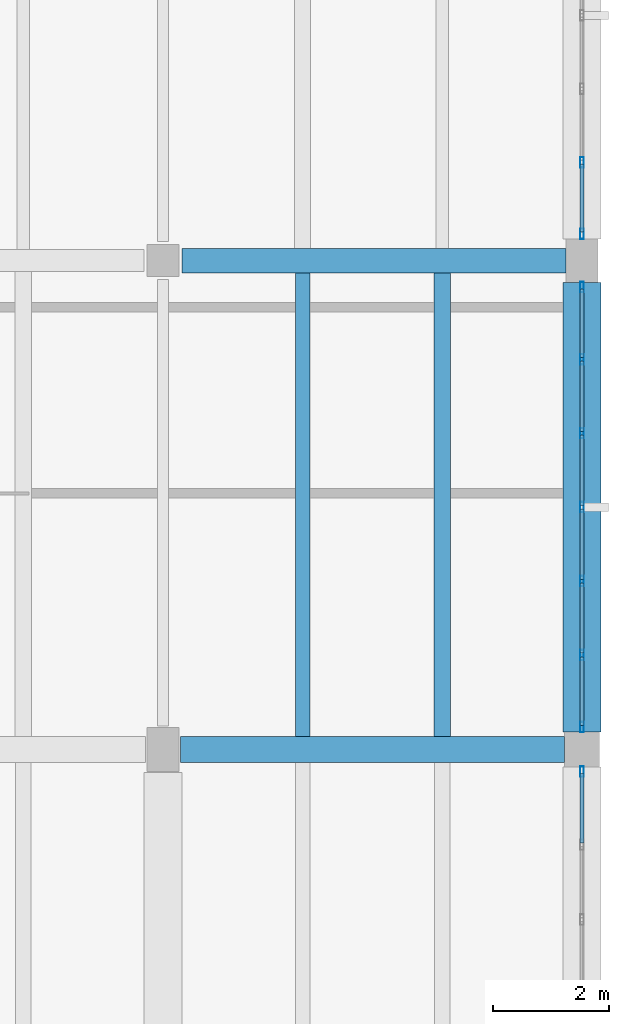
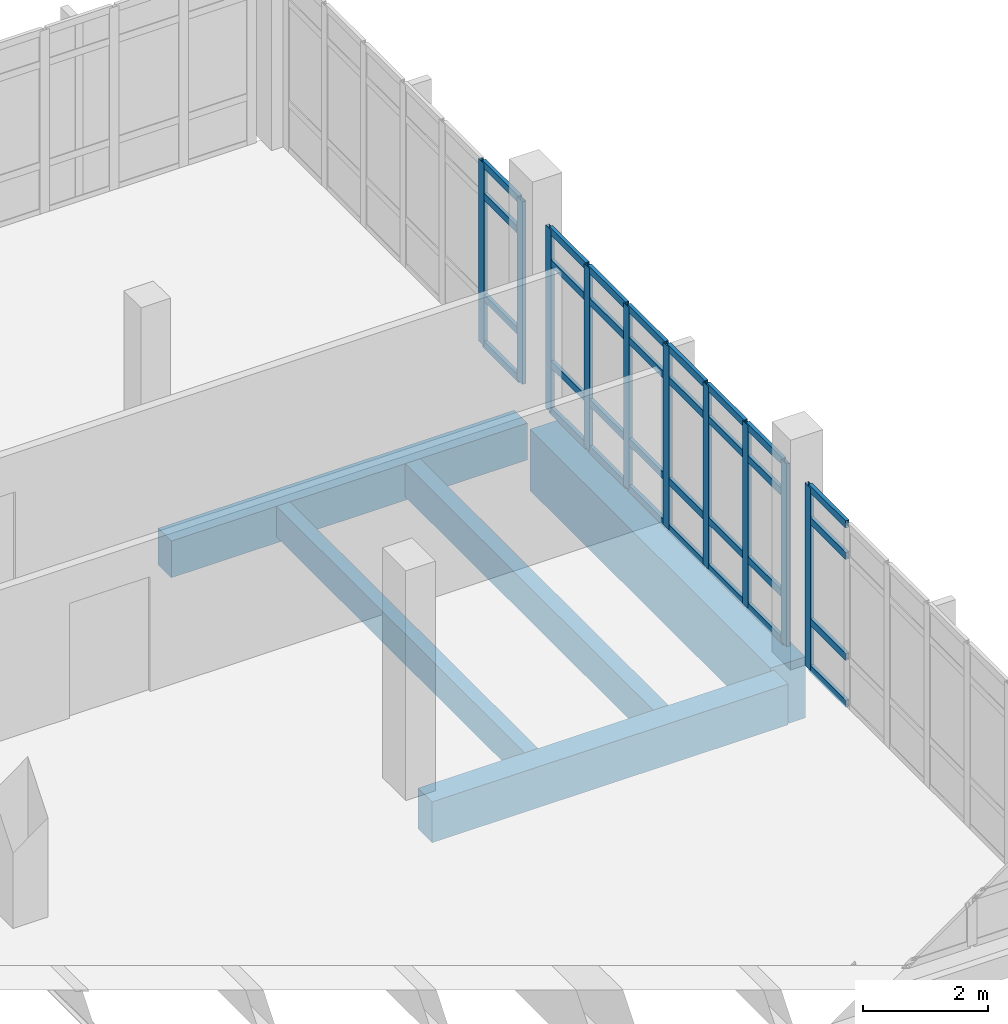
# One storey, part 56 of 87: 42 members, 5 beams, 3 elements without a shape of their own.
"""IFC4 building model written with IfcOpenShell, lengths in metres."""

from ifc_helpers import new_model, si_unit, direction, frame, origin, origin_2d, place, context, subcontext, project, spatial, rectangle, hollow_rectangle, extrude, material, material_profile, profile_set, type_object, element, aggregate, save


model = new_model("IFC4")

# Units and contexts
model_context = context("Model", 3, precision=1e-05, world=origin(), true_north=direction((0.0, 1.0)))
body_context = subcontext(model_context, "Body", "Model", "MODEL_VIEW")
ifc_project = project(units=[si_unit("LENGTHUNIT", "METRE"), si_unit("AREAUNIT", "SQUARE_METRE"), si_unit("VOLUMEUNIT", "CUBIC_METRE"), si_unit("PLANEANGLEUNIT", "RADIAN"), si_unit("MASSUNIT", "GRAM", prefix="KILO")], contexts=[model_context])

# Site, building, storey
site_placement = place(None, origin())
site = spatial("IfcSite", under=ifc_project, at=site_placement, CompositionType="ELEMENT")
building_placement = place(site_placement, origin())
building = spatial("IfcBuilding", under=site, at=building_placement, Name="Kalluvel Institute of Natural Sciences", CompositionType="ELEMENT")
storey_placement = place(building_placement, frame((0.0, 0.0, 18.89990234375)))
storey = spatial("IfcBuildingStorey", under=building, at=storey_placement, Name="L04", CompositionType="ELEMENT", Elevation=18.89990234375)

# Beams
ifc_material_1 = material(Name="Concrete M40", Category="concrete")
ifc_material_profile_1 = material_profile(ifc_material_1, rectangle(XDim=0.419921875, YDim=0.719970703125, at=origin_2d()), Name="RCB 420x720")
ifc_profile_set_1 = profile_set([ifc_material_profile_1], Name="Concrete M40")
beam_type_1 = type_object("IfcBeamType", Name="BM-RC420x720", PredefinedType="BEAM", material=ifc_profile_set_1)
beam_1_placement = place(storey_placement, frame((107.925048828125, 119.60009765625, -0.679931640625), z_axis=(1.0, 0.0, 0.0), x_axis=(0.0, 1.0, 0.0)))
element("IfcBeam", 1, at=beam_1_placement, inside=storey, type_object=beam_type_1, Name="L04 girder GIR-L04-EW-X1076-Y1196", PredefinedType="BEAM", context=body_context, shape_type="SweptSolid", body=[
    extrude(rectangle(XDim=0.419921875, YDim=0.719970703125, at=origin_2d()), origin(), (0.0, 0.0, 1.0), 6.599853515625),
])
ifc_material_profile_2 = material_profile(ifc_material_1, rectangle(XDim=0.449951171875, YDim=0.800048828125, at=origin_2d()), Name="RCB 450x800")
ifc_profile_set_2 = profile_set([ifc_material_profile_2], Name="Concrete M40")
beam_type_2 = type_object("IfcBeamType", Name="BM-RC450x800", PredefinedType="BEAM", material=ifc_profile_set_2)
beam_2_placement = place(storey_placement, frame((107.89990234375, 111.199951171875, -0.719970703125), z_axis=(1.0, 0.0, 0.0), x_axis=(0.0, 1.0, 0.0)))
element("IfcBeam", 2, at=beam_2_placement, inside=storey, type_object=beam_type_2, Name="L04 girder GIR-L04-EW-X1076-Y1112", PredefinedType="BEAM", context=body_context, shape_type="SweptSolid", body=[
    extrude(rectangle(XDim=0.449951171875, YDim=0.800048828125, at=origin_2d()), origin(), (0.0, 0.0, 1.0), 6.60009765625),
])
ifc_material_2 = material(Name="Concrete M50", Category="concrete")
ifc_material_profile_3 = material_profile(ifc_material_2, rectangle(XDim=0.64990234375, YDim=1.199951171875, at=origin_2d()), Name="RCB 650x1200")
ifc_profile_set_3 = profile_set([ifc_material_profile_3], Name="Concrete M50")
beam_type_3 = type_object("IfcBeamType", Name="BM-RC650x1200", PredefinedType="BEAM", material=ifc_profile_set_3)
beam_3_placement = place(storey_placement, frame((114.800048828125, 111.5, -0.919921875), z_axis=(0.0, 1.0, 0.0), x_axis=(-1.0, 0.0, 0.0)))
element("IfcBeam", 3, at=beam_3_placement, inside=storey, type_object=beam_type_3, Name="L04 girder GIR-L04-NS-X1148-Y1112", PredefinedType="BEAM", context=body_context, shape_type="SweptSolid", body=[
    extrude(rectangle(XDim=0.64990234375, YDim=1.199951171875, at=origin_2d()), origin(), (0.0, 0.0, 1.0), 7.72509765625),
])

# Curtain wall, member
ifc_material_3 = material(Name="Aluminium AW-6063 T6", Category="aluminium")
curtain_wall_type = type_object("IfcCurtainWallType", Name="CW-WET-45", PredefinedType="USERDEFINED", material=ifc_material_3)
curtain_wall_1_placement = place(storey_placement, origin())
curtain_wall_1 = element("IfcCurtainWall", 4, at=curtain_wall_1_placement, inside=storey, type_object=curtain_wall_type, Name="L04 Gothic lancet curtain wall CWA-L04-X1148-Y1031", ObjectType="UNITISED LANCET FACADE", PredefinedType="USERDEFINED")
ifc_material_profile_4 = material_profile(ifc_material_3, hollow_rectangle(XDim=0.06494140625, YDim=0.179931640625, WallThickness=0.00439453125, at=origin_2d()), Name="CWM 65x180")
ifc_profile_set_4 = profile_set([ifc_material_profile_4], Name="Aluminium AW-6063 T6")
member_type_1 = type_object("IfcMemberType", Name="CWM-65x180", PredefinedType="MULLION", material=ifc_profile_set_4)
member_1_placement = place(storey_placement, frame((114.800048828125, 110.8173828125, 0.0), z_axis=(0.0, 0.0, 1.0), x_axis=(-1.0, 0.0, 0.0)))
member_1 = element("IfcMember", 5, at=member_1_placement, type_object=member_type_1, Name="CW-01 mullion 7", PredefinedType="MULLION", context=body_context, shape_type="SweptSolid", body=[
    extrude(hollow_rectangle(XDim=0.06494140625, YDim=0.179931640625, WallThickness=0.00439453125, at=origin_2d()), origin(), (0.0, 0.0, 1.0), 3.580078125),
])

# Curtain wall, members
curtain_wall_2_placement = place(storey_placement, origin())
curtain_wall_2 = element("IfcCurtainWall", 6, at=curtain_wall_2_placement, inside=storey, type_object=curtain_wall_type, Name="L04 Gothic lancet curtain wall CWA-L04-X1148-Y1116", ObjectType="UNITISED LANCET FACADE", PredefinedType="USERDEFINED")
member_2_placement = place(storey_placement, frame((114.800048828125, 111.58251953125, 0.0), z_axis=(0.0, 0.0, 1.0), x_axis=(-1.0, 0.0, 0.0)))
member_2 = element("IfcMember", 7, at=member_2_placement, type_object=member_type_1, Name="CW-01 mullion 1", PredefinedType="MULLION", context=body_context, shape_type="SweptSolid", body=[
    extrude(hollow_rectangle(XDim=0.06494140625, YDim=0.179931640625, WallThickness=0.00439453125, at=origin_2d()), origin(), (0.0, 0.0, 1.0), 3.580078125),
])
member_3_placement = place(storey_placement, frame((114.800048828125, 112.82080078125, 0.0), z_axis=(0.0, 0.0, 1.0), x_axis=(-1.0, 0.0, 0.0)))
member_3 = element("IfcMember", 8, at=member_3_placement, type_object=member_type_1, Name="CW-01 mullion 2", PredefinedType="MULLION", context=body_context, shape_type="SweptSolid", body=[
    extrude(hollow_rectangle(XDim=0.06494140625, YDim=0.179931640625, WallThickness=0.00439453125, at=origin_2d()), origin(), (0.0, 0.0, 1.0), 3.580078125),
])
member_4_placement = place(storey_placement, frame((114.800048828125, 114.091552734375, 0.0), z_axis=(0.0, 0.0, 1.0), x_axis=(-1.0, 0.0, 0.0)))
member_4 = element("IfcMember", 9, at=member_4_placement, type_object=member_type_1, Name="CW-01 mullion 3", PredefinedType="MULLION", context=body_context, shape_type="SweptSolid", body=[
    extrude(hollow_rectangle(XDim=0.06494140625, YDim=0.179931640625, WallThickness=0.00439453125, at=origin_2d()), origin(), (0.0, 0.0, 1.0), 3.580078125),
])
member_5_placement = place(storey_placement, frame((114.800048828125, 115.362548828125, 0.0), z_axis=(0.0, 0.0, 1.0), x_axis=(-1.0, 0.0, 0.0)))
member_5 = element("IfcMember", 10, at=member_5_placement, type_object=member_type_1, Name="CW-01 mullion 4", PredefinedType="MULLION", context=body_context, shape_type="SweptSolid", body=[
    extrude(hollow_rectangle(XDim=0.06494140625, YDim=0.179931640625, WallThickness=0.00439453125, at=origin_2d()), origin(), (0.0, 0.0, 1.0), 3.580078125),
])
member_6_placement = place(storey_placement, frame((114.800048828125, 116.63330078125, 0.0), z_axis=(0.0, 0.0, 1.0), x_axis=(-1.0, 0.0, 0.0)))
member_6 = element("IfcMember", 11, at=member_6_placement, type_object=member_type_1, Name="CW-01 mullion 5", PredefinedType="MULLION", context=body_context, shape_type="SweptSolid", body=[
    extrude(hollow_rectangle(XDim=0.06494140625, YDim=0.179931640625, WallThickness=0.00439453125, at=origin_2d()), origin(), (0.0, 0.0, 1.0), 3.580078125),
])
member_7_placement = place(storey_placement, frame((114.800048828125, 117.904052734375, 0.0), z_axis=(0.0, 0.0, 1.0), x_axis=(-1.0, 0.0, 0.0)))
member_7 = element("IfcMember", 12, at=member_7_placement, type_object=member_type_1, Name="CW-01 mullion 6", PredefinedType="MULLION", context=body_context, shape_type="SweptSolid", body=[
    extrude(hollow_rectangle(XDim=0.06494140625, YDim=0.179931640625, WallThickness=0.00439453125, at=origin_2d()), origin(), (0.0, 0.0, 1.0), 3.580078125),
])
member_8_placement = place(storey_placement, frame((114.800048828125, 119.142578125, 0.0), z_axis=(0.0, 0.0, 1.0), x_axis=(-1.0, 0.0, 0.0)))
member_8 = element("IfcMember", 13, at=member_8_placement, type_object=member_type_1, Name="CW-01 mullion 7", PredefinedType="MULLION", context=body_context, shape_type="SweptSolid", body=[
    extrude(hollow_rectangle(XDim=0.06494140625, YDim=0.179931640625, WallThickness=0.00439453125, at=origin_2d()), origin(), (0.0, 0.0, 1.0), 3.580078125),
])

curtain_wall_3_placement = place(storey_placement, origin())
curtain_wall_3 = element("IfcCurtainWall", 14, at=curtain_wall_3_placement, inside=storey, type_object=curtain_wall_type, Name="L04 Gothic lancet curtain wall CWA-L04-X1148-Y1200", ObjectType="UNITISED LANCET FACADE", PredefinedType="USERDEFINED")
member_9_placement = place(storey_placement, frame((114.800048828125, 120.0576171875, 0.0), z_axis=(0.0, 0.0, 1.0), x_axis=(-1.0, 0.0, 0.0)))
member_9 = element("IfcMember", 15, at=member_9_placement, type_object=member_type_1, Name="CW-01 mullion 1", PredefinedType="MULLION", context=body_context, shape_type="SweptSolid", body=[
    extrude(hollow_rectangle(XDim=0.06494140625, YDim=0.179931640625, WallThickness=0.00439453125, at=origin_2d()), origin(), (0.0, 0.0, 1.0), 3.580078125),
])
member_10_placement = place(storey_placement, frame((114.800048828125, 121.28759765625, 0.0), z_axis=(0.0, 0.0, 1.0), x_axis=(-1.0, 0.0, 0.0)))
member_10 = element("IfcMember", 16, at=member_10_placement, type_object=member_type_1, Name="CW-01 mullion 2", PredefinedType="MULLION", context=body_context, shape_type="SweptSolid", body=[
    extrude(hollow_rectangle(XDim=0.06494140625, YDim=0.179931640625, WallThickness=0.00439453125, at=origin_2d()), origin(), (0.0, 0.0, 1.0), 3.580078125),
])

# Member
ifc_material_profile_5 = material_profile(ifc_material_3, hollow_rectangle(XDim=0.06494140625, YDim=0.139892578125, WallThickness=0.00439453125, at=origin_2d()), Name="CWT 65x140")
ifc_profile_set_5 = profile_set([ifc_material_profile_5], Name="Aluminium AW-6063 T6")
member_type_2 = type_object("IfcMemberType", Name="CWT-65x140", PredefinedType="USERDEFINED", material=ifc_profile_set_5)
member_11_placement = place(storey_placement, frame((114.800048828125, 109.594970703125, 0.03271484375), z_axis=(0.0, 1.0, 0.0), x_axis=(-1.0, 0.0, 0.0)))
member_11 = element("IfcMember", 17, at=member_11_placement, type_object=member_type_2, Name="CW-01 transom 6.1", ObjectType="TRANSOM", PredefinedType="USERDEFINED", context=body_context, shape_type="SweptSolid", body=[
    extrude(hollow_rectangle(XDim=0.06494140625, YDim=0.139892578125, WallThickness=0.00439453125, at=origin_2d()), origin(), (0.0, 0.0, 1.0), 1.18994140625),
])

member_12_placement = place(storey_placement, frame((114.800048828125, 109.594970703125, 0.9501953125), z_axis=(0.0, 1.0, 0.0), x_axis=(-1.0, 0.0, 0.0)))
member_12 = element("IfcMember", 18, at=member_12_placement, type_object=member_type_2, Name="CW-01 transom 6.2", ObjectType="TRANSOM", PredefinedType="USERDEFINED", context=body_context, shape_type="SweptSolid", body=[
    extrude(hollow_rectangle(XDim=0.06494140625, YDim=0.139892578125, WallThickness=0.00439453125, at=origin_2d()), origin(), (0.0, 0.0, 1.0), 1.18994140625),
])

member_13_placement = place(storey_placement, frame((114.800048828125, 109.594970703125, 2.93017578125), z_axis=(0.0, 1.0, 0.0), x_axis=(-1.0, 0.0, 0.0)))
member_13 = element("IfcMember", 19, at=member_13_placement, type_object=member_type_2, Name="CW-01 transom 6.3", ObjectType="TRANSOM", PredefinedType="USERDEFINED", context=body_context, shape_type="SweptSolid", body=[
    extrude(hollow_rectangle(XDim=0.06494140625, YDim=0.139892578125, WallThickness=0.00439453125, at=origin_2d()), origin(), (0.0, 0.0, 1.0), 1.18994140625),
])

member_14_placement = place(storey_placement, frame((114.800048828125, 109.594970703125, 3.547607421875), z_axis=(0.0, 1.0, 0.0), x_axis=(-1.0, 0.0, 0.0)))
member_14 = element("IfcMember", 20, at=member_14_placement, type_object=member_type_2, Name="CW-01 transom 6.4", ObjectType="TRANSOM", PredefinedType="USERDEFINED", context=body_context, shape_type="SweptSolid", body=[
    extrude(hollow_rectangle(XDim=0.06494140625, YDim=0.139892578125, WallThickness=0.00439453125, at=origin_2d()), origin(), (0.0, 0.0, 1.0), 1.18994140625),
])

aggregate(curtain_wall_1, [member_1, member_11, member_12, member_13, member_14])

member_15_placement = place(storey_placement, frame((114.800048828125, 111.614990234375, 0.03271484375), z_axis=(0.0, 1.0, 0.0), x_axis=(-1.0, 0.0, 0.0)))
member_15 = element("IfcMember", 21, at=member_15_placement, type_object=member_type_2, Name="CW-01 transom 1.1", ObjectType="TRANSOM", PredefinedType="USERDEFINED", context=body_context, shape_type="SweptSolid", body=[
    extrude(hollow_rectangle(XDim=0.06494140625, YDim=0.139892578125, WallThickness=0.00439453125, at=origin_2d()), origin(), (0.0, 0.0, 1.0), 1.17333984375),
])

member_16_placement = place(storey_placement, frame((114.800048828125, 111.614990234375, 0.9501953125), z_axis=(0.0, 1.0, 0.0), x_axis=(-1.0, 0.0, 0.0)))
member_16 = element("IfcMember", 22, at=member_16_placement, type_object=member_type_2, Name="CW-01 transom 1.2", ObjectType="TRANSOM", PredefinedType="USERDEFINED", context=body_context, shape_type="SweptSolid", body=[
    extrude(hollow_rectangle(XDim=0.06494140625, YDim=0.139892578125, WallThickness=0.00439453125, at=origin_2d()), origin(), (0.0, 0.0, 1.0), 1.17333984375),
])

member_17_placement = place(storey_placement, frame((114.800048828125, 111.614990234375, 2.93017578125), z_axis=(0.0, 1.0, 0.0), x_axis=(-1.0, 0.0, 0.0)))
member_17 = element("IfcMember", 23, at=member_17_placement, type_object=member_type_2, Name="CW-01 transom 1.3", ObjectType="TRANSOM", PredefinedType="USERDEFINED", context=body_context, shape_type="SweptSolid", body=[
    extrude(hollow_rectangle(XDim=0.06494140625, YDim=0.139892578125, WallThickness=0.00439453125, at=origin_2d()), origin(), (0.0, 0.0, 1.0), 1.17333984375),
])

member_18_placement = place(storey_placement, frame((114.800048828125, 111.614990234375, 3.547607421875), z_axis=(0.0, 1.0, 0.0), x_axis=(-1.0, 0.0, 0.0)))
member_18 = element("IfcMember", 24, at=member_18_placement, type_object=member_type_2, Name="CW-01 transom 1.4", ObjectType="TRANSOM", PredefinedType="USERDEFINED", context=body_context, shape_type="SweptSolid", body=[
    extrude(hollow_rectangle(XDim=0.06494140625, YDim=0.139892578125, WallThickness=0.00439453125, at=origin_2d()), origin(), (0.0, 0.0, 1.0), 1.17333984375),
])

member_19_placement = place(storey_placement, frame((114.800048828125, 112.853271484375, 0.03271484375), z_axis=(0.0, 1.0, 0.0), x_axis=(-1.0, 0.0, 0.0)))
member_19 = element("IfcMember", 25, at=member_19_placement, type_object=member_type_2, Name="CW-01 transom 2.1", ObjectType="TRANSOM", PredefinedType="USERDEFINED", context=body_context, shape_type="SweptSolid", body=[
    extrude(hollow_rectangle(XDim=0.06494140625, YDim=0.139892578125, WallThickness=0.00439453125, at=origin_2d()), origin(), (0.0, 0.0, 1.0), 1.205810546875),
])

member_20_placement = place(storey_placement, frame((114.800048828125, 112.853271484375, 0.9501953125), z_axis=(0.0, 1.0, 0.0), x_axis=(-1.0, 0.0, 0.0)))
member_20 = element("IfcMember", 26, at=member_20_placement, type_object=member_type_2, Name="CW-01 transom 2.2", ObjectType="TRANSOM", PredefinedType="USERDEFINED", context=body_context, shape_type="SweptSolid", body=[
    extrude(hollow_rectangle(XDim=0.06494140625, YDim=0.139892578125, WallThickness=0.00439453125, at=origin_2d()), origin(), (0.0, 0.0, 1.0), 1.205810546875),
])

member_21_placement = place(storey_placement, frame((114.800048828125, 112.853271484375, 2.93017578125), z_axis=(0.0, 1.0, 0.0), x_axis=(-1.0, 0.0, 0.0)))
member_21 = element("IfcMember", 27, at=member_21_placement, type_object=member_type_2, Name="CW-01 transom 2.3", ObjectType="TRANSOM", PredefinedType="USERDEFINED", context=body_context, shape_type="SweptSolid", body=[
    extrude(hollow_rectangle(XDim=0.06494140625, YDim=0.139892578125, WallThickness=0.00439453125, at=origin_2d()), origin(), (0.0, 0.0, 1.0), 1.205810546875),
])

member_22_placement = place(storey_placement, frame((114.800048828125, 112.853271484375, 3.547607421875), z_axis=(0.0, 1.0, 0.0), x_axis=(-1.0, 0.0, 0.0)))
member_22 = element("IfcMember", 28, at=member_22_placement, type_object=member_type_2, Name="CW-01 transom 2.4", ObjectType="TRANSOM", PredefinedType="USERDEFINED", context=body_context, shape_type="SweptSolid", body=[
    extrude(hollow_rectangle(XDim=0.06494140625, YDim=0.139892578125, WallThickness=0.00439453125, at=origin_2d()), origin(), (0.0, 0.0, 1.0), 1.205810546875),
])

member_23_placement = place(storey_placement, frame((114.800048828125, 114.124267578125, 0.03271484375), z_axis=(0.0, 1.0, 0.0), x_axis=(-1.0, 0.0, 0.0)))
member_23 = element("IfcMember", 29, at=member_23_placement, type_object=member_type_2, Name="CW-01 transom 3.1", ObjectType="TRANSOM", PredefinedType="USERDEFINED", context=body_context, shape_type="SweptSolid", body=[
    extrude(hollow_rectangle(XDim=0.06494140625, YDim=0.139892578125, WallThickness=0.00439453125, at=origin_2d()), origin(), (0.0, 0.0, 1.0), 1.205810546875),
])

member_24_placement = place(storey_placement, frame((114.800048828125, 114.124267578125, 0.9501953125), z_axis=(0.0, 1.0, 0.0), x_axis=(-1.0, 0.0, 0.0)))
member_24 = element("IfcMember", 30, at=member_24_placement, type_object=member_type_2, Name="CW-01 transom 3.2", ObjectType="TRANSOM", PredefinedType="USERDEFINED", context=body_context, shape_type="SweptSolid", body=[
    extrude(hollow_rectangle(XDim=0.06494140625, YDim=0.139892578125, WallThickness=0.00439453125, at=origin_2d()), origin(), (0.0, 0.0, 1.0), 1.205810546875),
])

member_25_placement = place(storey_placement, frame((114.800048828125, 114.124267578125, 2.93017578125), z_axis=(0.0, 1.0, 0.0), x_axis=(-1.0, 0.0, 0.0)))
member_25 = element("IfcMember", 31, at=member_25_placement, type_object=member_type_2, Name="CW-01 transom 3.3", ObjectType="TRANSOM", PredefinedType="USERDEFINED", context=body_context, shape_type="SweptSolid", body=[
    extrude(hollow_rectangle(XDim=0.06494140625, YDim=0.139892578125, WallThickness=0.00439453125, at=origin_2d()), origin(), (0.0, 0.0, 1.0), 1.205810546875),
])

member_26_placement = place(storey_placement, frame((114.800048828125, 114.124267578125, 3.547607421875), z_axis=(0.0, 1.0, 0.0), x_axis=(-1.0, 0.0, 0.0)))
member_26 = element("IfcMember", 32, at=member_26_placement, type_object=member_type_2, Name="CW-01 transom 3.4", ObjectType="TRANSOM", PredefinedType="USERDEFINED", context=body_context, shape_type="SweptSolid", body=[
    extrude(hollow_rectangle(XDim=0.06494140625, YDim=0.139892578125, WallThickness=0.00439453125, at=origin_2d()), origin(), (0.0, 0.0, 1.0), 1.205810546875),
])

member_27_placement = place(storey_placement, frame((114.800048828125, 115.39501953125, 0.03271484375), z_axis=(0.0, 1.0, 0.0), x_axis=(-1.0, 0.0, 0.0)))
member_27 = element("IfcMember", 33, at=member_27_placement, type_object=member_type_2, Name="CW-01 transom 4.1", ObjectType="TRANSOM", PredefinedType="USERDEFINED", context=body_context, shape_type="SweptSolid", body=[
    extrude(hollow_rectangle(XDim=0.06494140625, YDim=0.139892578125, WallThickness=0.00439453125, at=origin_2d()), origin(), (0.0, 0.0, 1.0), 1.205810546875),
])

member_28_placement = place(storey_placement, frame((114.800048828125, 115.39501953125, 0.9501953125), z_axis=(0.0, 1.0, 0.0), x_axis=(-1.0, 0.0, 0.0)))
member_28 = element("IfcMember", 34, at=member_28_placement, type_object=member_type_2, Name="CW-01 transom 4.2", ObjectType="TRANSOM", PredefinedType="USERDEFINED", context=body_context, shape_type="SweptSolid", body=[
    extrude(hollow_rectangle(XDim=0.06494140625, YDim=0.139892578125, WallThickness=0.00439453125, at=origin_2d()), origin(), (0.0, 0.0, 1.0), 1.205810546875),
])

member_29_placement = place(storey_placement, frame((114.800048828125, 115.39501953125, 2.93017578125), z_axis=(0.0, 1.0, 0.0), x_axis=(-1.0, 0.0, 0.0)))
member_29 = element("IfcMember", 35, at=member_29_placement, type_object=member_type_2, Name="CW-01 transom 4.3", ObjectType="TRANSOM", PredefinedType="USERDEFINED", context=body_context, shape_type="SweptSolid", body=[
    extrude(hollow_rectangle(XDim=0.06494140625, YDim=0.139892578125, WallThickness=0.00439453125, at=origin_2d()), origin(), (0.0, 0.0, 1.0), 1.205810546875),
])

member_30_placement = place(storey_placement, frame((114.800048828125, 115.39501953125, 3.547607421875), z_axis=(0.0, 1.0, 0.0), x_axis=(-1.0, 0.0, 0.0)))
member_30 = element("IfcMember", 36, at=member_30_placement, type_object=member_type_2, Name="CW-01 transom 4.4", ObjectType="TRANSOM", PredefinedType="USERDEFINED", context=body_context, shape_type="SweptSolid", body=[
    extrude(hollow_rectangle(XDim=0.06494140625, YDim=0.139892578125, WallThickness=0.00439453125, at=origin_2d()), origin(), (0.0, 0.0, 1.0), 1.205810546875),
])

member_31_placement = place(storey_placement, frame((114.800048828125, 116.665771484375, 0.03271484375), z_axis=(0.0, 1.0, 0.0), x_axis=(-1.0, 0.0, 0.0)))
member_31 = element("IfcMember", 37, at=member_31_placement, type_object=member_type_2, Name="CW-01 transom 5.1", ObjectType="TRANSOM", PredefinedType="USERDEFINED", context=body_context, shape_type="SweptSolid", body=[
    extrude(hollow_rectangle(XDim=0.06494140625, YDim=0.139892578125, WallThickness=0.00439453125, at=origin_2d()), origin(), (0.0, 0.0, 1.0), 1.205810546875),
])

member_32_placement = place(storey_placement, frame((114.800048828125, 116.665771484375, 0.9501953125), z_axis=(0.0, 1.0, 0.0), x_axis=(-1.0, 0.0, 0.0)))
member_32 = element("IfcMember", 38, at=member_32_placement, type_object=member_type_2, Name="CW-01 transom 5.2", ObjectType="TRANSOM", PredefinedType="USERDEFINED", context=body_context, shape_type="SweptSolid", body=[
    extrude(hollow_rectangle(XDim=0.06494140625, YDim=0.139892578125, WallThickness=0.00439453125, at=origin_2d()), origin(), (0.0, 0.0, 1.0), 1.205810546875),
])

member_33_placement = place(storey_placement, frame((114.800048828125, 116.665771484375, 2.93017578125), z_axis=(0.0, 1.0, 0.0), x_axis=(-1.0, 0.0, 0.0)))
member_33 = element("IfcMember", 39, at=member_33_placement, type_object=member_type_2, Name="CW-01 transom 5.3", ObjectType="TRANSOM", PredefinedType="USERDEFINED", context=body_context, shape_type="SweptSolid", body=[
    extrude(hollow_rectangle(XDim=0.06494140625, YDim=0.139892578125, WallThickness=0.00439453125, at=origin_2d()), origin(), (0.0, 0.0, 1.0), 1.205810546875),
])

member_34_placement = place(storey_placement, frame((114.800048828125, 116.665771484375, 3.547607421875), z_axis=(0.0, 1.0, 0.0), x_axis=(-1.0, 0.0, 0.0)))
member_34 = element("IfcMember", 40, at=member_34_placement, type_object=member_type_2, Name="CW-01 transom 5.4", ObjectType="TRANSOM", PredefinedType="USERDEFINED", context=body_context, shape_type="SweptSolid", body=[
    extrude(hollow_rectangle(XDim=0.06494140625, YDim=0.139892578125, WallThickness=0.00439453125, at=origin_2d()), origin(), (0.0, 0.0, 1.0), 1.205810546875),
])

member_35_placement = place(storey_placement, frame((114.800048828125, 117.936767578125, 0.03271484375), z_axis=(0.0, 1.0, 0.0), x_axis=(-1.0, 0.0, 0.0)))
member_35 = element("IfcMember", 41, at=member_35_placement, type_object=member_type_2, Name="CW-01 transom 6.1", ObjectType="TRANSOM", PredefinedType="USERDEFINED", context=body_context, shape_type="SweptSolid", body=[
    extrude(hollow_rectangle(XDim=0.06494140625, YDim=0.139892578125, WallThickness=0.00439453125, at=origin_2d()), origin(), (0.0, 0.0, 1.0), 1.17333984375),
])

member_36_placement = place(storey_placement, frame((114.800048828125, 117.936767578125, 0.9501953125), z_axis=(0.0, 1.0, 0.0), x_axis=(-1.0, 0.0, 0.0)))
member_36 = element("IfcMember", 42, at=member_36_placement, type_object=member_type_2, Name="CW-01 transom 6.2", ObjectType="TRANSOM", PredefinedType="USERDEFINED", context=body_context, shape_type="SweptSolid", body=[
    extrude(hollow_rectangle(XDim=0.06494140625, YDim=0.139892578125, WallThickness=0.00439453125, at=origin_2d()), origin(), (0.0, 0.0, 1.0), 1.17333984375),
])

member_37_placement = place(storey_placement, frame((114.800048828125, 117.936767578125, 2.93017578125), z_axis=(0.0, 1.0, 0.0), x_axis=(-1.0, 0.0, 0.0)))
member_37 = element("IfcMember", 43, at=member_37_placement, type_object=member_type_2, Name="CW-01 transom 6.3", ObjectType="TRANSOM", PredefinedType="USERDEFINED", context=body_context, shape_type="SweptSolid", body=[
    extrude(hollow_rectangle(XDim=0.06494140625, YDim=0.139892578125, WallThickness=0.00439453125, at=origin_2d()), origin(), (0.0, 0.0, 1.0), 1.17333984375),
])

member_38_placement = place(storey_placement, frame((114.800048828125, 117.936767578125, 3.547607421875), z_axis=(0.0, 1.0, 0.0), x_axis=(-1.0, 0.0, 0.0)))
member_38 = element("IfcMember", 44, at=member_38_placement, type_object=member_type_2, Name="CW-01 transom 6.4", ObjectType="TRANSOM", PredefinedType="USERDEFINED", context=body_context, shape_type="SweptSolid", body=[
    extrude(hollow_rectangle(XDim=0.06494140625, YDim=0.139892578125, WallThickness=0.00439453125, at=origin_2d()), origin(), (0.0, 0.0, 1.0), 1.17333984375),
])

aggregate(curtain_wall_2, [member_2, member_3, member_4, member_5, member_6, member_7, member_8, member_15, member_16, member_17, member_18, member_19, member_20, member_21, member_22, member_23, member_24, member_25, member_26, member_27, member_28, member_29, member_30, member_31, member_32, member_33, member_34, member_35, member_36, member_37, member_38])

member_39_placement = place(storey_placement, frame((114.800048828125, 120.090087890625, 0.03271484375), z_axis=(0.0, 1.0, 0.0), x_axis=(-1.0, 0.0, 0.0)))
member_39 = element("IfcMember", 45, at=member_39_placement, type_object=member_type_2, Name="CW-01 transom 1.1", ObjectType="TRANSOM", PredefinedType="USERDEFINED", context=body_context, shape_type="SweptSolid", body=[
    extrude(hollow_rectangle(XDim=0.06494140625, YDim=0.139892578125, WallThickness=0.00439453125, at=origin_2d()), origin(), (0.0, 0.0, 1.0), 1.164794921875),
])

member_40_placement = place(storey_placement, frame((114.800048828125, 120.090087890625, 0.9501953125), z_axis=(0.0, 1.0, 0.0), x_axis=(-1.0, 0.0, 0.0)))
member_40 = element("IfcMember", 46, at=member_40_placement, type_object=member_type_2, Name="CW-01 transom 1.2", ObjectType="TRANSOM", PredefinedType="USERDEFINED", context=body_context, shape_type="SweptSolid", body=[
    extrude(hollow_rectangle(XDim=0.06494140625, YDim=0.139892578125, WallThickness=0.00439453125, at=origin_2d()), origin(), (0.0, 0.0, 1.0), 1.164794921875),
])

member_41_placement = place(storey_placement, frame((114.800048828125, 120.090087890625, 2.93017578125), z_axis=(0.0, 1.0, 0.0), x_axis=(-1.0, 0.0, 0.0)))
member_41 = element("IfcMember", 47, at=member_41_placement, type_object=member_type_2, Name="CW-01 transom 1.3", ObjectType="TRANSOM", PredefinedType="USERDEFINED", context=body_context, shape_type="SweptSolid", body=[
    extrude(hollow_rectangle(XDim=0.06494140625, YDim=0.139892578125, WallThickness=0.00439453125, at=origin_2d()), origin(), (0.0, 0.0, 1.0), 1.164794921875),
])

member_42_placement = place(storey_placement, frame((114.800048828125, 120.090087890625, 3.547607421875), z_axis=(0.0, 1.0, 0.0), x_axis=(-1.0, 0.0, 0.0)))
member_42 = element("IfcMember", 48, at=member_42_placement, type_object=member_type_2, Name="CW-01 transom 1.4", ObjectType="TRANSOM", PredefinedType="USERDEFINED", context=body_context, shape_type="SweptSolid", body=[
    extrude(hollow_rectangle(XDim=0.06494140625, YDim=0.139892578125, WallThickness=0.00439453125, at=origin_2d()), origin(), (0.0, 0.0, 1.0), 1.164794921875),
])

aggregate(curtain_wall_3, [member_9, member_10, member_39, member_40, member_41, member_42])

# Beams
ifc_material_profile_6 = material_profile(ifc_material_1, rectangle(XDim=0.25, YDim=0.60009765625, at=origin_2d()), Name="WAF 250x600")
ifc_profile_set_6 = profile_set([ifc_material_profile_6], Name="Concrete M40")
beam_type_4 = type_object("IfcBeamType", Name="WJ-250x600", PredefinedType="JOIST", material=ifc_profile_set_6)
beam_4_placement = place(storey_placement, frame((110.0, 111.425048828125, -0.619873046875), z_axis=(0.0, 1.0, 0.0), x_axis=(-1.0, 0.0, 0.0)))
element("IfcBeam", 49, at=beam_4_placement, inside=storey, type_object=beam_type_4, Name="L04 waffle joist RIB-L04-0364", PredefinedType="JOIST", context=body_context, shape_type="SweptSolid", body=[
    extrude(rectangle(XDim=0.25, YDim=0.60009765625, at=origin_2d()), origin(), (0.0, 0.0, 1.0), 7.96484375),
])
ifc_material_profile_7 = material_profile(ifc_material_2, rectangle(XDim=0.280029296875, YDim=0.64990234375, at=origin_2d()), Name="WAF 280x650")
ifc_profile_set_7 = profile_set([ifc_material_profile_7], Name="Concrete M50")
beam_type_5 = type_object("IfcBeamType", Name="WJ-280x650", PredefinedType="JOIST", material=ifc_profile_set_7)
beam_5_placement = place(storey_placement, frame((112.39990234375, 111.425048828125, -0.64501953125), z_axis=(0.0, 1.0, 0.0), x_axis=(-1.0, 0.0, 0.0)))
element("IfcBeam", 50, at=beam_5_placement, inside=storey, type_object=beam_type_5, Name="L04 waffle joist RIB-L04-0365", PredefinedType="JOIST", context=body_context, shape_type="SweptSolid", body=[
    extrude(rectangle(XDim=0.280029296875, YDim=0.64990234375, at=origin_2d()), origin(), (0.0, 0.0, 1.0), 7.96484375),
])

save(model, "model.ifc")
